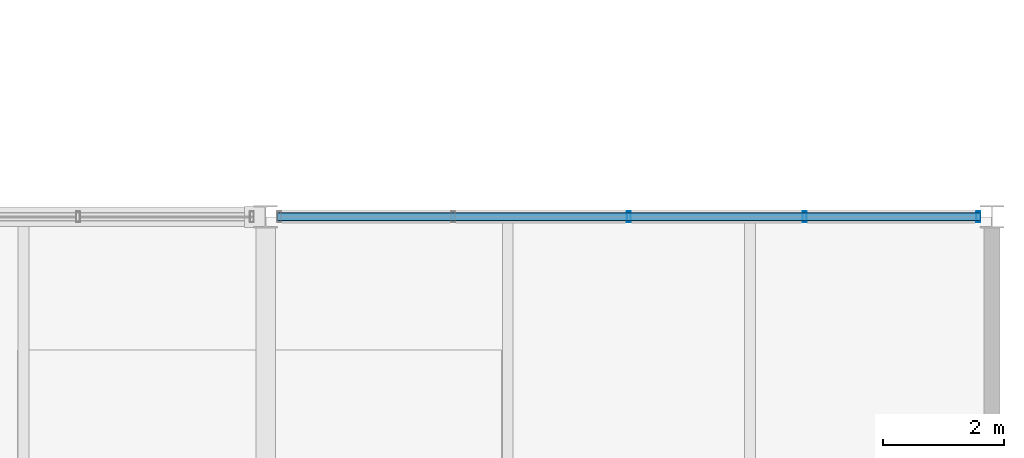
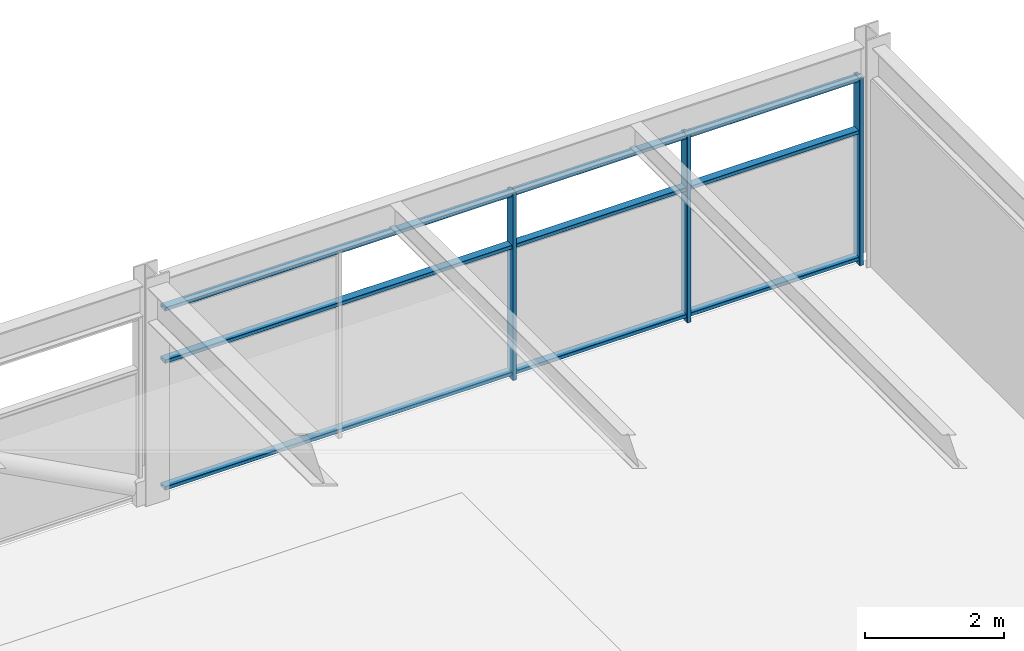
# One storey, part 38 of 49: 6 members, 1 element without a shape of its own.
"""IFC4 building model written with IfcOpenShell, lengths in metres."""

from ifc_helpers import new_model, si_unit, direction, frame, origin, origin_2d, place, context, subcontext, project, spatial, hollow_rectangle, extrude, material, material_profile, profile_set, type_object, element, aggregate, save


model = new_model("IFC4")

# Units and contexts
model_context = context("Model", 3, precision=1e-05, world=origin(), true_north=direction((0.0, 1.0)))
body_context = subcontext(model_context, "Body", "Model", "MODEL_VIEW")
ifc_project = project(units=[si_unit("LENGTHUNIT", "METRE"), si_unit("AREAUNIT", "SQUARE_METRE"), si_unit("VOLUMEUNIT", "CUBIC_METRE"), si_unit("PLANEANGLEUNIT", "RADIAN"), si_unit("MASSUNIT", "GRAM", prefix="KILO")], contexts=[model_context])

# Site, building, storey
site_placement = place(None, origin())
site = spatial("IfcSite", under=ifc_project, at=site_placement, CompositionType="ELEMENT")
building_placement = place(site_placement, origin())
building = spatial("IfcBuilding", under=site, at=building_placement, Name="Girod Span Mobility Hub", CompositionType="ELEMENT")
storey_placement = place(building_placement, frame((0.0, 0.0, 37.60009765625)))
storey = spatial("IfcBuildingStorey", under=building, at=storey_placement, Name="L09", CompositionType="ELEMENT", Elevation=37.60009765625)

# Curtain wall, members
ifc_material_1 = material(Name="Thermally Broken Anodised Aluminium", Category="aluminium")
curtain_wall_type = type_object("IfcCurtainWallType", Name="CW-1161X329", PredefinedType="USERDEFINED", material=ifc_material_1)
curtain_wall_placement = place(storey_placement, origin())
curtain_wall = element("IfcCurtainWall", 1, at=curtain_wall_placement, inside=storey, type_object=curtain_wall_type, Name="Unitised Curtain Wall CW-L09-N12 L09", ObjectType="UNITISED CURTAIN WALL", PredefinedType="USERDEFINED")
ifc_material_2 = material(Name="Thermally Broken Anodised Aluminium", Category="aluminium")
ifc_material_profile_1 = material_profile(ifc_material_2, hollow_rectangle(XDim=0.179931640625, YDim=0.06494140625, WallThickness=0.00390625, InnerFilletRadius=0.00390625, OuterFilletRadius=0.008056640625, at=origin_2d()), Name="CW-ML-65X180")
ifc_profile_set_1 = profile_set([ifc_material_profile_1], Name="Thermally Broken Anodised Aluminium")
member_type_1 = type_object("IfcMemberType", Name="CWM-ML-2", PredefinedType="MULLION", material=ifc_profile_set_1)
member_1_placement = place(storey_placement, frame((138.0, 69.0, 0.0), z_axis=(0.0, 0.0, 1.0), x_axis=(0.0, 1.0, 0.0)))
member_1 = element("IfcMember", 2, at=member_1_placement, type_object=member_type_1, Name="Curtain Wall Mullion CW-L09-N12-M2", PredefinedType="MULLION", context=body_context, shape_type="SweptSolid", body=[
    extrude(hollow_rectangle(XDim=0.179931640625, YDim=0.06494140625, WallThickness=0.00390625, InnerFilletRadius=0.00390625, OuterFilletRadius=0.008056640625, at=origin_2d()), origin(), (0.0, 0.0, 1.0), 3.291015625),
])
member_2_placement = place(storey_placement, frame((140.902587890625, 69.0, 0.0), z_axis=(0.0, 0.0, 1.0), x_axis=(0.0, 1.0, 0.0)))
member_2 = element("IfcMember", 3, at=member_2_placement, type_object=member_type_1, Name="Curtain Wall Mullion CW-L09-N12-M3", PredefinedType="MULLION", context=body_context, shape_type="SweptSolid", body=[
    extrude(hollow_rectangle(XDim=0.179931640625, YDim=0.06494140625, WallThickness=0.00390625, InnerFilletRadius=0.00390625, OuterFilletRadius=0.008056640625, at=origin_2d()), origin(), (0.0, 0.0, 1.0), 3.291015625),
])
member_3_placement = place(storey_placement, frame((143.77294921875, 69.0, 0.0), z_axis=(0.0, 0.0, 1.0), x_axis=(0.0, 1.0, 0.0)))
member_3 = element("IfcMember", 4, at=member_3_placement, type_object=member_type_1, Name="Curtain Wall Mullion CW-L09-N12-M4", PredefinedType="MULLION", context=body_context, shape_type="SweptSolid", body=[
    extrude(hollow_rectangle(XDim=0.179931640625, YDim=0.06494140625, WallThickness=0.00390625, InnerFilletRadius=0.00390625, OuterFilletRadius=0.008056640625, at=origin_2d()), origin(), (0.0, 0.0, 1.0), 3.291015625),
])
ifc_material_3 = material(Name="Thermally Broken Anodised Aluminium", Category="aluminium")
ifc_material_profile_2 = material_profile(ifc_material_3, hollow_rectangle(XDim=0.135009765625, YDim=0.06494140625, WallThickness=0.00390625, InnerFilletRadius=0.00390625, OuterFilletRadius=0.008056640625, at=origin_2d()), Name="CW-TR-65X135")
ifc_profile_set_2 = profile_set([ifc_material_profile_2], Name="Thermally Broken Anodised Aluminium")
member_type_2 = type_object("IfcMemberType", Name="CWM-TR-2", PredefinedType="USERDEFINED", material=ifc_profile_set_2)
member_4_placement = place(storey_placement, frame((132.195068359375, 69.0, 0.107421875), z_axis=(1.0, 0.0, 0.0), x_axis=(0.0, 1.0, 0.0)))
member_4 = element("IfcMember", 5, at=member_4_placement, type_object=member_type_2, Name="Curtain Wall Transom CW-L09-N12-T1", ObjectType="TRANSOM", PredefinedType="USERDEFINED", context=body_context, shape_type="SweptSolid", body=[
    extrude(hollow_rectangle(XDim=0.135009765625, YDim=0.06494140625, WallThickness=0.00390625, InnerFilletRadius=0.00390625, OuterFilletRadius=0.008056640625, at=origin_2d()), origin(), (0.0, 0.0, 1.0), 11.60986328125),
])
member_5_placement = place(storey_placement, frame((132.195068359375, 69.0, 2.3369140625), z_axis=(1.0, 0.0, 0.0), x_axis=(0.0, 1.0, 0.0)))
member_5 = element("IfcMember", 6, at=member_5_placement, type_object=member_type_2, Name="Curtain Wall Transom CW-L09-N12-T2", ObjectType="TRANSOM", PredefinedType="USERDEFINED", context=body_context, shape_type="SweptSolid", body=[
    extrude(hollow_rectangle(XDim=0.135009765625, YDim=0.06494140625, WallThickness=0.00390625, InnerFilletRadius=0.00390625, OuterFilletRadius=0.008056640625, at=origin_2d()), origin(), (0.0, 0.0, 1.0), 11.60986328125),
])
member_6_placement = place(storey_placement, frame((132.195068359375, 69.0, 3.25830078125), z_axis=(1.0, 0.0, 0.0), x_axis=(0.0, 1.0, 0.0)))
member_6 = element("IfcMember", 7, at=member_6_placement, type_object=member_type_2, Name="Curtain Wall Transom CW-L09-N12-T3", ObjectType="TRANSOM", PredefinedType="USERDEFINED", context=body_context, shape_type="SweptSolid", body=[
    extrude(hollow_rectangle(XDim=0.135009765625, YDim=0.06494140625, WallThickness=0.00390625, InnerFilletRadius=0.00390625, OuterFilletRadius=0.008056640625, at=origin_2d()), origin(), (0.0, 0.0, 1.0), 11.60986328125),
])
aggregate(curtain_wall, [member_1, member_2, member_3, member_4, member_5, member_6])

save(model, "model.ifc")
